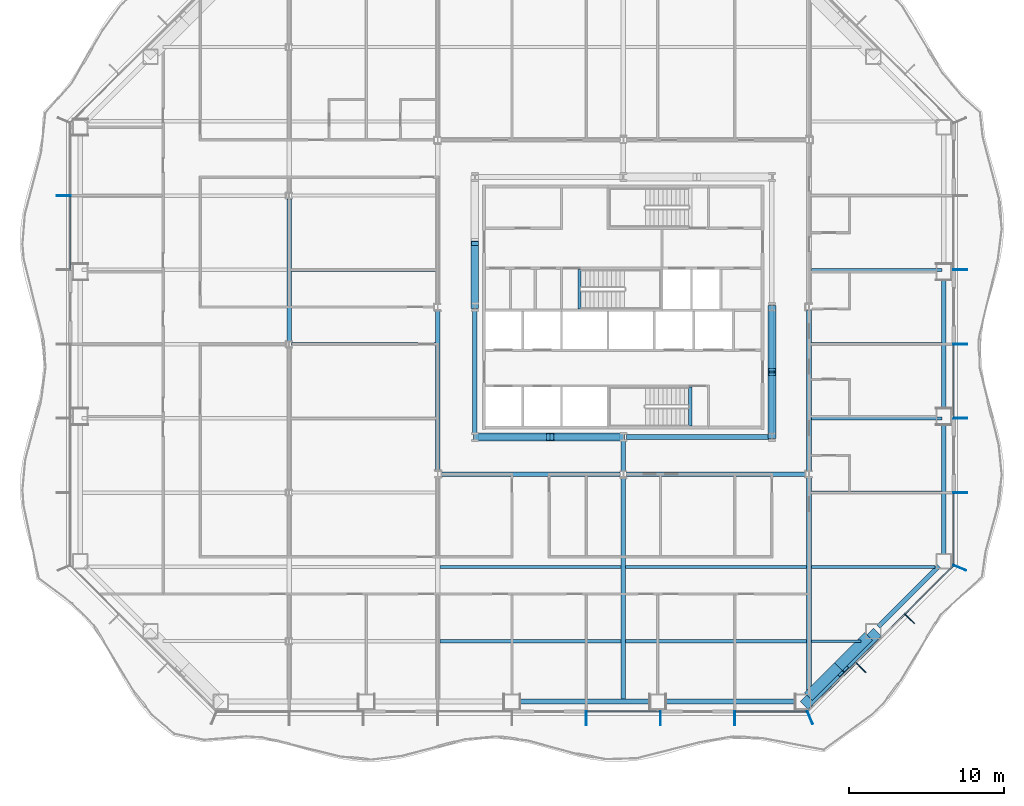
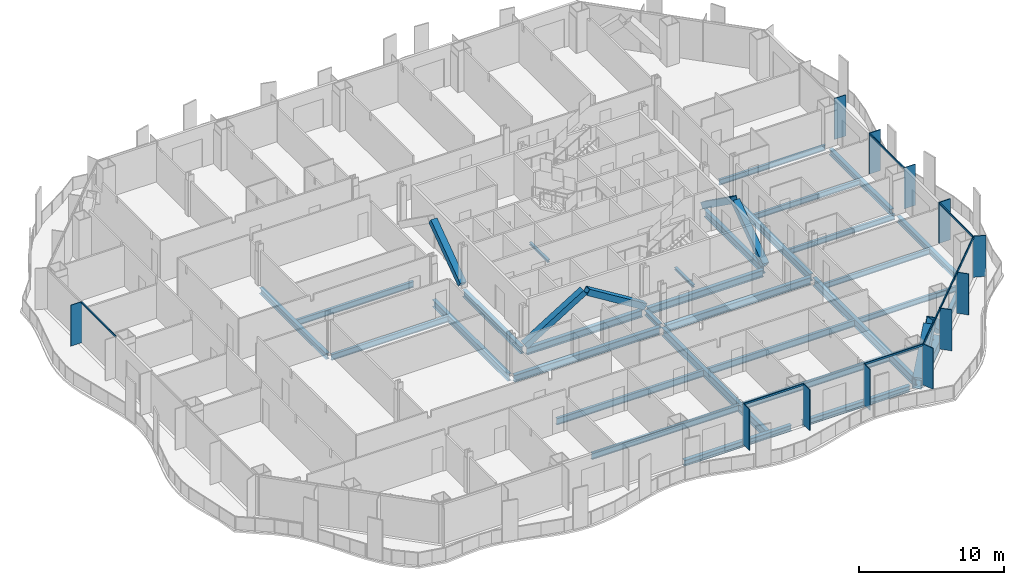
# One storey, part 2 of 20: 33 beams, 27 members, 4 elements without a shape of their own.
"""IFC4 building model written with IfcOpenShell, lengths in metres."""

from ifc_helpers import new_model, si_unit, direction, frame, origin, origin_2d, place, context, subcontext, project, spatial, rectangle, hollow_rectangle, i_section, extrude, material, material_profile, profile_set, type_object, element, aggregate, save


model = new_model("IFC4")

# Units and contexts
model_context = context("Model", 3, precision=1e-05, world=origin(), true_north=direction((0.0, 1.0)))
body_context = subcontext(model_context, "Body", "Model", "MODEL_VIEW")
ifc_project = project(units=[si_unit("LENGTHUNIT", "METRE"), si_unit("AREAUNIT", "SQUARE_METRE"), si_unit("VOLUMEUNIT", "CUBIC_METRE"), si_unit("PLANEANGLEUNIT", "RADIAN"), si_unit("MASSUNIT", "GRAM", prefix="KILO")], contexts=[model_context])

# Site, building, storey
site_placement = place(None, origin())
site = spatial("IfcSite", under=ifc_project, at=site_placement, CompositionType="ELEMENT")
building_placement = place(site_placement, origin())
building = spatial("IfcBuilding", under=site, at=building_placement, Name="Cairn Pilgrim Tower", CompositionType="ELEMENT")
storey_placement = place(building_placement, frame((0.0, 0.0, 61.800048828125)))
storey = spatial("IfcBuildingStorey", under=building, at=storey_placement, Name="L13", CompositionType="ELEMENT", Elevation=61.800048828125)

# Members
ifc_material_1 = material(Name="Structural steel S460M", Category="steel")
ifc_material_profile_1 = material_profile(ifc_material_1, hollow_rectangle(XDim=0.5, YDim=0.5, WallThickness=0.030029296875, at=origin_2d()), Name="BOX 500x500x30")
ifc_profile_set_1 = profile_set([ifc_material_profile_1], Name="Structural steel S460M")
member_type_1 = type_object("IfcMemberType", Name="BOX 500x500x30 BRACE", PredefinedType="BRACE", material=ifc_profile_set_1)
member_1_placement = place(storey_placement, frame((-2.3544921875, -6.0, 0.099853515625), z_axis=(0.850904896844, 0.0, 0.525319765978), x_axis=(0.0, 1.0, 0.0)))
element("IfcMember", 1, at=member_1_placement, inside=storey, type_object=member_type_1, Name="KB-1A", PredefinedType="BRACE", context=body_context, shape_type="SweptSolid", body=[
    extrude(hollow_rectangle(XDim=0.5, YDim=0.5, WallThickness=0.030029296875, at=origin_2d()), origin(), (0.0, 0.0, 1.0), 5.52490234375),
])
member_2_placement = place(storey_placement, frame((7.154541015625, -6.0, 0.099853515625), z_axis=(-0.850919818074, 0.0, 0.52529559603), x_axis=(0.0, -1.0, 0.0)))
element("IfcMember", 2, at=member_2_placement, inside=storey, type_object=member_type_1, Name="KB-1B", PredefinedType="BRACE", context=body_context, shape_type="SweptSolid", body=[
    extrude(hollow_rectangle(XDim=0.5, YDim=0.5, WallThickness=0.030029296875, at=origin_2d()), origin(), (0.0, 0.0, 1.0), 5.375),
])
for number, where, z_axis, x_axis, name in (
    (3, (16.800048828125, -5.95458984375, 0.099853515625), (0.0, 0.814060275911, 0.580780394972), (-1.0, 0.0, 0.0), "KB-2A"),
    (4, (16.800048828125, 2.3544921875, 0.099853515625), (0.0, -0.814043789138, 0.580803503232), (1.0, 0.0, 0.0), "KB-2B"),
    (5, (-2.39990234375, 2.4453125, 0.099853515625), (0.0, 0.814060275911, 0.580780394972), (-1.0, 0.0, 0.0), "KB-4B"),
):
    element("IfcMember", number, at=place(storey_placement, frame(where, z_axis=z_axis, x_axis=x_axis)), inside=storey, type_object=member_type_1, Name=name, PredefinedType="BRACE", context=body_context, shape_type="SweptSolid", body=[
        extrude(hollow_rectangle(XDim=0.5, YDim=0.5, WallThickness=0.030029296875, at=origin_2d()), origin(), (0.0, 0.0, 1.0), 4.9951171875),
    ])
ifc_material_profile_2 = material_profile(ifc_material_1, hollow_rectangle(XDim=0.699951171875, YDim=0.699951171875, WallThickness=0.0400390625, at=origin_2d()), Name="BOX 700x700x40")
ifc_profile_set_2 = profile_set([ifc_material_profile_2], Name="Structural steel S460M")
member_type_2 = type_object("IfcMemberType", Name="BOX 700x700x40 BRACE", PredefinedType="BRACE", material=ifc_profile_set_2)
member_3_placement = place(storey_placement, frame((19.0498046875, -23.181396484375, 0.14990234375), z_axis=(0.528096125699, 0.528096125699, 0.665002980477), x_axis=(-0.707106781187, 0.707106781187, 0.0)))
element("IfcMember", 6, at=member_3_placement, inside=storey, type_object=member_type_2, Name="XB-SE1-SE2-1", PredefinedType="BRACE", context=body_context, shape_type="SweptSolid", body=[
    extrude(hollow_rectangle(XDim=0.699951171875, YDim=0.699951171875, WallThickness=0.0400390625, at=origin_2d()), origin(), (0.0, 0.0, 1.0), 3.89990234375),
])
member_4_placement = place(storey_placement, frame((23.44482421875, -18.786376953125, 0.14990234375), z_axis=(-0.528068439288, -0.528068439288, 0.665046950866), x_axis=(0.707106781187, -0.707106781187, 0.0)))
element("IfcMember", 7, at=member_4_placement, inside=storey, type_object=member_type_2, Name="XB-SE1-SE2-2", PredefinedType="BRACE", context=body_context, shape_type="SweptSolid", body=[
    extrude(hollow_rectangle(XDim=0.699951171875, YDim=0.699951171875, WallThickness=0.0400390625, at=origin_2d()), origin(), (0.0, 0.0, 1.0), 3.899658203125),
])

# Beams
ifc_material_2 = material(Name="Structural steel S355J2", Category="steel")
ifc_material_profile_3 = material_profile(ifc_material_2, hollow_rectangle(XDim=0.699951171875, YDim=0.800048828125, WallThickness=0.0400390625, at=origin_2d()), Name="BOX 700x800x40")
ifc_profile_set_3 = profile_set([ifc_material_profile_3], Name="Structural steel S355J2")
beam_type_1 = type_object("IfcBeamType", Name="BOX 700x800x40 RING GIRDER", PredefinedType="SPANDREL", material=ifc_profile_set_3)
for number, where, z_axis, x_axis, name in (
    (8, (19.1455078125, -22.78173828125, -0.550048828125), (0.707106781187, 0.707106781187, 0.0), (-0.707106781187, 0.707106781187, 0.0), "RG1-SE1-SE2-1"),
    (9, (21.095458984375, -20.831787109375, -0.550048828125), (0.707106781187, 0.707106781187, 0.0), (-0.707106781187, 0.707106781187, 0.0), "RG1-SE1-SE2-2"),
):
    element("IfcBeam", number, at=place(storey_placement, frame(where, z_axis=z_axis, x_axis=x_axis)), inside=storey, type_object=beam_type_1, Name=name, PredefinedType="SPANDREL", context=body_context, shape_type="SweptSolid", body=[
        extrude(hollow_rectangle(XDim=0.699951171875, YDim=0.800048828125, WallThickness=0.0400390625, at=origin_2d()), origin(), (0.0, 0.0, 1.0), 2.757568359375),
    ])

# Curtain wall, members
ifc_material_3 = material(Name="Aluminium alloy 6063-T6 bronze anodised with Bronze tinted laminated low-E glass 8+16+8.8", Category="aluminium")
curtain_wall_type_1 = type_object("IfcCurtainWallType", Name="TOWER STICK CURTAIN WALL NS", PredefinedType="NOTDEFINED", material=ifc_material_3)
curtain_wall_1_placement = place(storey_placement, origin())
curtain_wall_1 = element("IfcCurtainWall", 10, at=curtain_wall_1_placement, inside=storey, type_object=curtain_wall_type_1, Name="Tower Stick Curtain Wall Ns S", PredefinedType="NOTDEFINED")
ifc_material_4 = material(Name="Aluminium alloy 6063-T6 bronze anodised", Category="aluminium")
ifc_material_profile_4 = material_profile(ifc_material_4, rectangle(XDim=0.89990234375, YDim=0.06005859375, at=origin_2d()), Name="FIN MULLION 60x900 BRONZE")
ifc_profile_set_4 = profile_set([ifc_material_profile_4], Name="Aluminium alloy 6063-T6 bronze anodised")
member_type_3 = type_object("IfcMemberType", Name="FIN MULLION 60x900 BRONZE", PredefinedType="MULLION", material=ifc_profile_set_4)
member_5_placement = place(storey_placement, frame((4.800048828125, -24.169921875, 0.0), z_axis=(0.0, 0.0, 1.0), x_axis=(0.0, -1.0, 0.0)))
member_5 = element("IfcMember", 11, at=member_5_placement, type_object=member_type_3, Name="Fin mullion S6", PredefinedType="MULLION", context=body_context, shape_type="SweptSolid", body=[
    extrude(rectangle(XDim=0.89990234375, YDim=0.06005859375, at=origin_2d()), origin(), (0.0, 0.0, 1.0), 3.449951171875),
])
member_6_placement = place(storey_placement, frame((9.60009765625, -24.169921875, 0.0), z_axis=(0.0, 0.0, 1.0), x_axis=(0.0, -1.0, 0.0)))
member_6 = element("IfcMember", 12, at=member_6_placement, type_object=member_type_3, Name="Fin mullion S7", PredefinedType="MULLION", context=body_context, shape_type="SweptSolid", body=[
    extrude(rectangle(XDim=0.89990234375, YDim=0.06005859375, at=origin_2d()), origin(), (0.0, 0.0, 1.0), 3.449951171875),
])
member_7_placement = place(storey_placement, frame((14.39990234375, -24.169921875, 0.0), z_axis=(0.0, 0.0, 1.0), x_axis=(0.0, -1.0, 0.0)))
member_7 = element("IfcMember", 13, at=member_7_placement, type_object=member_type_3, Name="Fin mullion S8", PredefinedType="MULLION", context=body_context, shape_type="SweptSolid", body=[
    extrude(rectangle(XDim=0.89990234375, YDim=0.06005859375, at=origin_2d()), origin(), (0.0, 0.0, 1.0), 3.449951171875),
])

curtain_wall_type_2 = type_object("IfcCurtainWallType", Name="CHAMFER CORNER CURTAIN WALL", PredefinedType="NOTDEFINED", material=ifc_material_3)
curtain_wall_2_placement = place(storey_placement, origin())
curtain_wall_2 = element("IfcCurtainWall", 14, at=curtain_wall_2_placement, inside=storey, type_object=curtain_wall_type_2, Name="Chamfer Corner Curtain Wall SE", PredefinedType="NOTDEFINED")
member_8_placement = place(storey_placement, frame((19.257080078125, -24.137939453125, 0.0), z_axis=(0.0, 0.0, 1.0), x_axis=(0.382683432365, -0.923879532511, 0.0)))
member_8 = element("IfcMember", 15, at=member_8_placement, type_object=member_type_3, Name="Fin mullion SE1", PredefinedType="MULLION", context=body_context, shape_type="SweptSolid", body=[
    extrude(rectangle(XDim=0.89990234375, YDim=0.06005859375, at=origin_2d()), origin(), (0.0, 0.0, 1.0), 3.449951171875),
])
member_9_placement = place(storey_placement, frame((22.544677734375, -20.895751953125, 0.0), z_axis=(0.0, 0.0, 1.0), x_axis=(0.707106781187, -0.707106781187, 0.0)))
member_9 = element("IfcMember", 16, at=member_9_placement, type_object=member_type_3, Name="Fin mullion SE2", PredefinedType="MULLION", context=body_context, shape_type="SweptSolid", body=[
    extrude(rectangle(XDim=0.89990234375, YDim=0.06005859375, at=origin_2d()), origin(), (0.0, 0.0, 1.0), 3.449951171875),
])
member_10_placement = place(storey_placement, frame((25.69580078125, -17.74462890625, 0.0), z_axis=(0.0, 0.0, 1.0), x_axis=(0.707106781187, -0.707106781187, 0.0)))
member_10 = element("IfcMember", 17, at=member_10_placement, type_object=member_type_3, Name="Fin mullion SE3", PredefinedType="MULLION", context=body_context, shape_type="SweptSolid", body=[
    extrude(rectangle(XDim=0.89990234375, YDim=0.06005859375, at=origin_2d()), origin(), (0.0, 0.0, 1.0), 3.449951171875),
])

curtain_wall_type_3 = type_object("IfcCurtainWallType", Name="TOWER STICK CURTAIN WALL EW", PredefinedType="NOTDEFINED", material=ifc_material_3)
curtain_wall_3_placement = place(storey_placement, origin())
curtain_wall_3 = element("IfcCurtainWall", 18, at=curtain_wall_3_placement, inside=storey, type_object=curtain_wall_type_3, Name="Tower Stick Curtain Wall Ew E", PredefinedType="NOTDEFINED")
member_11_placement = place(storey_placement, frame((28.93798828125, -14.457275390625, 0.0), z_axis=(0.0, 0.0, 1.0), x_axis=(0.923879532511, -0.382683432365, 0.0)))
member_11 = element("IfcMember", 19, at=member_11_placement, type_object=member_type_3, Name="Fin mullion E1", PredefinedType="MULLION", context=body_context, shape_type="SweptSolid", body=[
    extrude(rectangle(XDim=0.89990234375, YDim=0.06005859375, at=origin_2d()), origin(), (0.0, 0.0, 1.0), 3.449951171875),
])
member_12_placement = place(storey_placement, frame((28.969970703125, -9.60009765625, 0.0), z_axis=(0.0, 0.0, 1.0), x_axis=(1.0, 0.0, 0.0)))
member_12 = element("IfcMember", 20, at=member_12_placement, type_object=member_type_3, Name="Fin mullion E2", PredefinedType="MULLION", context=body_context, shape_type="SweptSolid", body=[
    extrude(rectangle(XDim=0.89990234375, YDim=0.06005859375, at=origin_2d()), origin(), (0.0, 0.0, 1.0), 3.449951171875),
])
member_13_placement = place(storey_placement, frame((28.969970703125, -4.800048828125, 0.0), z_axis=(0.0, 0.0, 1.0), x_axis=(1.0, 0.0, 0.0)))
member_13 = element("IfcMember", 21, at=member_13_placement, type_object=member_type_3, Name="Fin mullion E3", PredefinedType="MULLION", context=body_context, shape_type="SweptSolid", body=[
    extrude(rectangle(XDim=0.89990234375, YDim=0.06005859375, at=origin_2d()), origin(), (0.0, 0.0, 1.0), 3.449951171875),
])
member_14_placement = place(storey_placement, frame((28.969970703125, 0.0, 0.0), z_axis=(0.0, 0.0, 1.0), x_axis=(1.0, 0.0, 0.0)))
member_14 = element("IfcMember", 22, at=member_14_placement, type_object=member_type_3, Name="Fin mullion E4", PredefinedType="MULLION", context=body_context, shape_type="SweptSolid", body=[
    extrude(rectangle(XDim=0.89990234375, YDim=0.06005859375, at=origin_2d()), origin(), (0.0, 0.0, 1.0), 3.449951171875),
])
member_15_placement = place(storey_placement, frame((28.969970703125, 4.800048828125, 0.0), z_axis=(0.0, 0.0, 1.0), x_axis=(1.0, 0.0, 0.0)))
member_15 = element("IfcMember", 23, at=member_15_placement, type_object=member_type_3, Name="Fin mullion E5", PredefinedType="MULLION", context=body_context, shape_type="SweptSolid", body=[
    extrude(rectangle(XDim=0.89990234375, YDim=0.06005859375, at=origin_2d()), origin(), (0.0, 0.0, 1.0), 3.449951171875),
])

# Curtain wall, member
curtain_wall_4_placement = place(storey_placement, origin())
curtain_wall_4 = element("IfcCurtainWall", 24, at=curtain_wall_4_placement, inside=storey, type_object=curtain_wall_type_3, Name="Tower Stick Curtain Wall Ew W", PredefinedType="NOTDEFINED")
member_16_placement = place(storey_placement, frame((-28.969970703125, 9.60009765625, 0.0), z_axis=(0.0, 0.0, 1.0), x_axis=(-1.0, 0.0, 0.0)))
member_16 = element("IfcMember", 25, at=member_16_placement, type_object=member_type_3, Name="Fin mullion W2", PredefinedType="MULLION", context=body_context, shape_type="SweptSolid", body=[
    extrude(rectangle(XDim=0.89990234375, YDim=0.06005859375, at=origin_2d()), origin(), (0.0, 0.0, 1.0), 3.449951171875),
])

# Beams
ifc_material_profile_5 = material_profile(ifc_material_2, i_section(OverallWidth=0.300048828125, OverallDepth=0.39990234375, WebThickness=0.013427734375, FlangeThickness=0.02392578125, FilletRadius=0.027099609375, at=origin_2d()), Name="HEB 400")
ifc_profile_set_5 = profile_set([ifc_material_profile_5], Name="Structural steel S355J2")
beam_type_2 = type_object("IfcBeamType", Name="HEB 400 GIRDER", PredefinedType="BEAM", material=ifc_profile_set_5)
beam_1_placement = place(storey_placement, frame((7.199951171875, -8.18798828125, -0.35009765625), z_axis=(0.0, 1.0, 0.0), x_axis=(-1.0, 0.0, 0.0)))
element("IfcBeam", 26, at=beam_1_placement, inside=storey, type_object=beam_type_2, Name="PG3-E1", PredefinedType="BEAM", context=body_context, shape_type="SweptSolid", body=[
    extrude(i_section(OverallWidth=0.300048828125, OverallDepth=0.39990234375, WebThickness=0.013427734375, FlangeThickness=0.02392578125, FilletRadius=0.027099609375, at=origin_2d()), origin(), (0.0, 0.0, 1.0), 1.9609375),
])
ifc_material_profile_6 = material_profile(ifc_material_2, i_section(OverallWidth=0.300048828125, OverallDepth=0.5, WebThickness=0.014404296875, FlangeThickness=0.028076171875, FilletRadius=0.027099609375, at=origin_2d()), Name="HEB 500")
ifc_profile_set_6 = profile_set([ifc_material_profile_6], Name="Structural steel S355J2")
beam_type_3 = type_object("IfcBeamType", Name="HEB 500 GIRDER", PredefinedType="BEAM", material=ifc_profile_set_6)
beam_2_placement = place(storey_placement, frame((-14.39990234375, 0.20458984375, -0.400146484375), z_axis=(0.0, 1.0, 0.0), x_axis=(-1.0, 0.0, 0.0)))
element("IfcBeam", 27, at=beam_2_placement, inside=storey, type_object=beam_type_3, Name="PG1-4", PredefinedType="BEAM", context=body_context, shape_type="SweptSolid", body=[
    extrude(i_section(OverallWidth=0.300048828125, OverallDepth=0.5, WebThickness=0.014404296875, FlangeThickness=0.028076171875, FilletRadius=0.027099609375, at=origin_2d()), origin(), (0.0, 0.0, 1.0), 9.19091796875),
])
ifc_material_profile_7 = material_profile(ifc_material_2, i_section(OverallWidth=0.300048828125, OverallDepth=0.5, WebThickness=0.014404296875, FlangeThickness=0.028076171875, FilletRadius=0.027099609375, at=origin_2d()), Name="HEB 500")
ifc_profile_set_7 = profile_set([ifc_material_profile_7], Name="Structural steel S355J2")
beam_type_4 = type_object("IfcBeamType", Name="HEB 500 RING GIRDER", PredefinedType="SPANDREL", material=ifc_profile_set_7)
for number, where, z_axis, x_axis, name in (
    (28, (0.449951171875, -23.10009765625, -0.400146484375), (1.0, 0.0, 0.0), (0.0, 1.0, 0.0), "RG1-S3-S4"),
    (29, (9.863525390625, -23.10009765625, -0.400146484375), (1.0, 0.0, 0.0), (0.0, 1.0, 0.0), "RG1-S4-SE1"),
):
    element("IfcBeam", number, at=place(storey_placement, frame(where, z_axis=z_axis, x_axis=x_axis)), inside=storey, type_object=beam_type_4, Name=name, PredefinedType="SPANDREL", context=body_context, shape_type="SweptSolid", body=[
        extrude(i_section(OverallWidth=0.300048828125, OverallDepth=0.5, WebThickness=0.014404296875, FlangeThickness=0.028076171875, FilletRadius=0.027099609375, at=origin_2d()), origin(), (0.0, 0.0, 1.0), 8.513671875),
    ])
beam_3_placement = place(storey_placement, frame((23.681884765625, -18.245361328125, -0.400146484375), z_axis=(0.707106781187, 0.707106781187, 0.0), x_axis=(-0.707106781187, 0.707106781187, 0.0)))
element("IfcBeam", 30, at=beam_3_placement, inside=storey, type_object=beam_type_4, Name="RG1-SE2-E1", PredefinedType="SPANDREL", context=body_context, shape_type="SweptSolid", body=[
    extrude(i_section(OverallWidth=0.300048828125, OverallDepth=0.5, WebThickness=0.014404296875, FlangeThickness=0.028076171875, FilletRadius=0.027099609375, at=origin_2d()), origin(), (0.0, 0.0, 1.0), 5.515380859375),
])
beam_4_placement = place(storey_placement, frame((27.89990234375, -13.5771484375, -0.400146484375), z_axis=(0.0, 1.0, 0.0), x_axis=(-1.0, 0.0, 0.0)))
element("IfcBeam", 31, at=beam_4_placement, inside=storey, type_object=beam_type_4, Name="RG1-E1-E2", PredefinedType="SPANDREL", context=body_context, shape_type="SweptSolid", body=[
    extrude(i_section(OverallWidth=0.300048828125, OverallDepth=0.5, WebThickness=0.014404296875, FlangeThickness=0.028076171875, FilletRadius=0.027099609375, at=origin_2d()), origin(), (0.0, 0.0, 1.0), 8.451416015625),
])
beam_5_placement = place(storey_placement, frame((27.89990234375, -4.2255859375, -0.400146484375), z_axis=(0.0, 1.0, 0.0), x_axis=(-1.0, 0.0, 0.0)))
element("IfcBeam", 32, at=beam_5_placement, inside=storey, type_object=beam_type_4, Name="RG1-E2-E3", PredefinedType="SPANDREL", context=body_context, shape_type="SweptSolid", body=[
    extrude(i_section(OverallWidth=0.300048828125, OverallDepth=0.5, WebThickness=0.014404296875, FlangeThickness=0.028076171875, FilletRadius=0.027099609375, at=origin_2d()), origin(), (0.0, 0.0, 1.0), 8.451171875),
])
ifc_material_profile_8 = material_profile(ifc_material_2, i_section(OverallWidth=0.300048828125, OverallDepth=0.60009765625, WebThickness=0.015380859375, FlangeThickness=0.030029296875, FilletRadius=0.027099609375, at=origin_2d()), Name="HEB 600")
ifc_profile_set_8 = profile_set([ifc_material_profile_8], Name="Structural steel S355J2")
beam_type_5 = type_object("IfcBeamType", Name="HEB 600 CORE BEAM", PredefinedType="BEAM", material=ifc_profile_set_8)
for number, where, z_axis, x_axis, name in (
    (33, (-2.19580078125, -6.0, -0.449951171875), (1.0, 0.0, 0.0), (0.0, 1.0, 0.0), "CB-1"),
    (34, (7.404296875, -6.0, -0.449951171875), (1.0, 0.0, 0.0), (0.0, 1.0, 0.0), "CB-2"),
):
    element("IfcBeam", number, at=place(storey_placement, frame(where, z_axis=z_axis, x_axis=x_axis)), inside=storey, type_object=beam_type_5, Name=name, PredefinedType="BEAM", context=body_context, shape_type="SweptSolid", body=[
        extrude(i_section(OverallWidth=0.300048828125, OverallDepth=0.60009765625, WebThickness=0.015380859375, FlangeThickness=0.030029296875, FilletRadius=0.027099609375, at=origin_2d()), origin(), (0.0, 0.0, 1.0), 9.19140625),
    ])
for number, where, z_axis, x_axis, name in (
    (35, (16.800048828125, -5.795654296875, -0.449951171875), (0.0, 1.0, 0.0), (-1.0, 0.0, 0.0), "CB-3"),
    (36, (-2.39990234375, 2.19580078125, -0.449951171875), (0.0, -1.0, 0.0), (1.0, 0.0, 0.0), "CB-8"),
):
    element("IfcBeam", number, at=place(storey_placement, frame(where, z_axis=z_axis, x_axis=x_axis)), inside=storey, type_object=beam_type_5, Name=name, PredefinedType="BEAM", context=body_context, shape_type="SweptSolid", body=[
        extrude(i_section(OverallWidth=0.300048828125, OverallDepth=0.60009765625, WebThickness=0.015380859375, FlangeThickness=0.030029296875, FilletRadius=0.027099609375, at=origin_2d()), origin(), (0.0, 0.0, 1.0), 7.991455078125),
    ])
ifc_material_profile_9 = material_profile(ifc_material_2, i_section(OverallWidth=0.300048828125, OverallDepth=0.60009765625, WebThickness=0.015380859375, FlangeThickness=0.030029296875, FilletRadius=0.027099609375, at=origin_2d()), Name="HEB 600")
ifc_profile_set_9 = profile_set([ifc_material_profile_9], Name="Structural steel S355J2")
beam_type_6 = type_object("IfcBeamType", Name="HEB 600 GIRDER", PredefinedType="BEAM", material=ifc_profile_set_9)
for number, where, z_axis, x_axis, name in (
    (37, (-4.800048828125, -8.18798828125, -0.449951171875), (0.0, 1.0, 0.0), (-1.0, 0.0, 0.0), "PG2-2"),
    (38, (19.199951171875, -8.18798828125, -0.449951171875), (0.0, 1.0, 0.0), (-1.0, 0.0, 0.0), "PG4-2"),
):
    element("IfcBeam", number, at=place(storey_placement, frame(where, z_axis=z_axis, x_axis=x_axis)), inside=storey, type_object=beam_type_6, Name=name, PredefinedType="BEAM", context=body_context, shape_type="SweptSolid", body=[
        extrude(i_section(OverallWidth=0.300048828125, OverallDepth=0.60009765625, WebThickness=0.015380859375, FlangeThickness=0.030029296875, FilletRadius=0.027099609375, at=origin_2d()), origin(), (0.0, 0.0, 1.0), 10.3759765625),
    ])
ifc_material_profile_10 = material_profile(ifc_material_2, i_section(OverallWidth=0.300048828125, OverallDepth=0.60009765625, WebThickness=0.015380859375, FlangeThickness=0.030029296875, FilletRadius=0.027099609375, at=origin_2d()), Name="HEB 600")
ifc_profile_set_10 = profile_set([ifc_material_profile_10], Name="Structural steel S355J2")
beam_type_7 = type_object("IfcBeamType", Name="HEB 600 INNER GIRDER", PredefinedType="BEAM", material=ifc_profile_set_10)
for number, where, z_axis, x_axis, name in (
    (39, (-4.587890625, -8.39990234375, -0.449951171875), (1.0, 0.0, 0.0), (0.0, 1.0, 0.0), "IG1-1"),
    (40, (7.412109375, -8.39990234375, -0.449951171875), (1.0, 0.0, 0.0), (0.0, 1.0, 0.0), "IG1-2"),
):
    element("IfcBeam", number, at=place(storey_placement, frame(where, z_axis=z_axis, x_axis=x_axis)), inside=storey, type_object=beam_type_7, Name=name, PredefinedType="BEAM", context=body_context, shape_type="SweptSolid", body=[
        extrude(i_section(OverallWidth=0.300048828125, OverallDepth=0.60009765625, WebThickness=0.015380859375, FlangeThickness=0.030029296875, FilletRadius=0.027099609375, at=origin_2d()), origin(), (0.0, 0.0, 1.0), 11.575927734375),
    ])
ifc_material_profile_11 = material_profile(ifc_material_2, i_section(OverallWidth=0.300048828125, OverallDepth=0.699951171875, WebThickness=0.01708984375, FlangeThickness=0.031982421875, FilletRadius=0.027099609375, at=origin_2d()), Name="HEB 700")
ifc_profile_set_11 = profile_set([ifc_material_profile_11], Name="Structural steel S355J2")
beam_type_8 = type_object("IfcBeamType", Name="HEB 700 GIRDER", PredefinedType="BEAM", material=ifc_profile_set_11)
beam_6_placement = place(storey_placement, frame((7.199951171875, -22.97998046875, -0.5), z_axis=(0.0, 1.0, 0.0), x_axis=(-1.0, 0.0, 0.0)))
element("IfcBeam", 41, at=beam_6_placement, inside=storey, type_object=beam_type_8, Name="PG3-1", PredefinedType="BEAM", context=body_context, shape_type="SweptSolid", body=[
    extrude(i_section(OverallWidth=0.300048828125, OverallDepth=0.699951171875, WebThickness=0.01708984375, FlangeThickness=0.031982421875, FilletRadius=0.027099609375, at=origin_2d()), origin(), (0.0, 0.0, 1.0), 14.367919921875),
])
beam_7_placement = place(storey_placement, frame((19.199951171875, -22.545166015625, -0.5), z_axis=(0.0, 1.0, 0.0), x_axis=(-1.0, 0.0, 0.0)))
element("IfcBeam", 42, at=beam_7_placement, inside=storey, type_object=beam_type_8, Name="PG4-1", PredefinedType="BEAM", context=body_context, shape_type="SweptSolid", body=[
    extrude(i_section(OverallWidth=0.300048828125, OverallDepth=0.699951171875, WebThickness=0.01708984375, FlangeThickness=0.031982421875, FilletRadius=0.027099609375, at=origin_2d()), origin(), (0.0, 0.0, 1.0), 13.93310546875),
])
ifc_material_profile_12 = material_profile(ifc_material_2, i_section(OverallWidth=0.169921875, OverallDepth=0.360107421875, WebThickness=0.008056640625, FlangeThickness=0.0126953125, FilletRadius=0.01806640625, at=origin_2d()), Name="IPE 360")
ifc_profile_set_12 = profile_set([ifc_material_profile_12], Name="Structural steel S355J2")
beam_type_9 = type_object("IfcBeamType", Name="IPE 360 SECONDARY BEAM", PredefinedType="JOIST", material=ifc_profile_set_12)
beam_8_placement = place(storey_placement, frame((19.35009765625, -19.199951171875, -0.330078125), z_axis=(1.0, 0.0, 0.0), x_axis=(0.0, 1.0, 0.0)))
element("IfcBeam", 43, at=beam_8_placement, inside=storey, type_object=beam_type_9, Name="SB1-5", PredefinedType="JOIST", context=body_context, shape_type="SweptSolid", body=[
    extrude(i_section(OverallWidth=0.169921875, OverallDepth=0.360107421875, WebThickness=0.008056640625, FlangeThickness=0.0126953125, FilletRadius=0.01806640625, at=origin_2d()), origin(), (0.0, 0.0, 1.0), 3.195068359375),
])
ifc_material_profile_13 = material_profile(ifc_material_2, i_section(OverallWidth=0.18994140625, OverallDepth=0.449951171875, WebThickness=0.009521484375, FlangeThickness=0.0146484375, FilletRadius=0.02099609375, at=origin_2d()), Name="IPE 450")
ifc_profile_set_13 = profile_set([ifc_material_profile_13], Name="Structural steel S355J2")
beam_type_10 = type_object("IfcBeamType", Name="IPE 450 SECONDARY BEAM", PredefinedType="JOIST", material=ifc_profile_set_13)
beam_9_placement = place(storey_placement, frame((19.35009765625, -14.39990234375, -0.375), z_axis=(1.0, 0.0, 0.0), x_axis=(0.0, 1.0, 0.0)))
element("IfcBeam", 44, at=beam_9_placement, inside=storey, type_object=beam_type_10, Name="SB2-5", PredefinedType="JOIST", context=body_context, shape_type="SweptSolid", body=[
    extrude(i_section(OverallWidth=0.18994140625, OverallDepth=0.449951171875, WebThickness=0.009521484375, FlangeThickness=0.0146484375, FilletRadius=0.02099609375, at=origin_2d()), origin(), (0.0, 0.0, 1.0), 7.9951171875),
])
for number, where, z_axis, x_axis, name in (
    (45, (19.35009765625, -9.60009765625, -0.375), (1.0, 0.0, 0.0), (0.0, 1.0, 0.0), "SB3-3"),
    (46, (19.35009765625, -4.800048828125, -0.375), (1.0, 0.0, 0.0), (0.0, 1.0, 0.0), "SB4-3"),
    (47, (19.35009765625, 0.0, -0.375), (1.0, 0.0, 0.0), (0.0, 1.0, 0.0), "SB5-3"),
    (48, (19.35009765625, 4.800048828125, -0.375), (1.0, 0.0, 0.0), (0.0, 1.0, 0.0), "SB6-3"),
):
    element("IfcBeam", number, at=place(storey_placement, frame(where, z_axis=z_axis, x_axis=x_axis)), inside=storey, type_object=beam_type_10, Name=name, PredefinedType="JOIST", context=body_context, shape_type="SweptSolid", body=[
        extrude(i_section(OverallWidth=0.18994140625, OverallDepth=0.449951171875, WebThickness=0.009521484375, FlangeThickness=0.0146484375, FilletRadius=0.02099609375, at=origin_2d()), origin(), (0.0, 0.0, 1.0), 8.429931640625),
    ])
ifc_material_profile_14 = material_profile(ifc_material_2, i_section(OverallWidth=0.199951171875, OverallDepth=0.5, WebThickness=0.01025390625, FlangeThickness=0.01611328125, FilletRadius=0.02099609375, at=origin_2d()), Name="IPE 500")
ifc_profile_set_14 = profile_set([ifc_material_profile_14], Name="Structural steel S355J2")
beam_type_11 = type_object("IfcBeamType", Name="IPE 500 SECONDARY BEAM", PredefinedType="JOIST", material=ifc_profile_set_14)
for number, where, z_axis, x_axis, name in (
    (49, (-14.25, 0.0, -0.400146484375), (1.0, 0.0, 0.0), (0.0, 1.0, 0.0), "SB5-2"),
    (50, (-14.25, 4.800048828125, -0.400146484375), (1.0, 0.0, 0.0), (0.0, 1.0, 0.0), "SB6-2"),
):
    element("IfcBeam", number, at=place(storey_placement, frame(where, z_axis=z_axis, x_axis=x_axis)), inside=storey, type_object=beam_type_11, Name=name, PredefinedType="JOIST", context=body_context, shape_type="SweptSolid", body=[
        extrude(i_section(OverallWidth=0.199951171875, OverallDepth=0.5, WebThickness=0.01025390625, FlangeThickness=0.01611328125, FilletRadius=0.02099609375, at=origin_2d()), origin(), (0.0, 0.0, 1.0), 9.300048828125),
    ])
ifc_material_profile_15 = material_profile(ifc_material_2, i_section(OverallWidth=0.2099609375, OverallDepth=0.550048828125, WebThickness=0.010986328125, FlangeThickness=0.01708984375, FilletRadius=0.02392578125, at=origin_2d()), Name="IPE 550")
ifc_profile_set_15 = profile_set([ifc_material_profile_15], Name="Structural steel S355J2")
beam_type_12 = type_object("IfcBeamType", Name="IPE 550 SECONDARY BEAM", PredefinedType="JOIST", material=ifc_profile_set_15)
for number, where, z_axis, x_axis, name in (
    (51, (-4.64990234375, -19.199951171875, -0.425048828125), (1.0, 0.0, 0.0), (0.0, 1.0, 0.0), "SB1-3"),
    (52, (7.35009765625, -19.199951171875, -0.425048828125), (1.0, 0.0, 0.0), (0.0, 1.0, 0.0), "SB1-4"),
    (53, (-4.64990234375, -14.39990234375, -0.425048828125), (1.0, 0.0, 0.0), (0.0, 1.0, 0.0), "SB2-3"),
    (54, (7.35009765625, -14.39990234375, -0.425048828125), (1.0, 0.0, 0.0), (0.0, 1.0, 0.0), "SB2-4"),
):
    element("IfcBeam", number, at=place(storey_placement, frame(where, z_axis=z_axis, x_axis=x_axis)), inside=storey, type_object=beam_type_12, Name=name, PredefinedType="JOIST", context=body_context, shape_type="SweptSolid", body=[
        extrude(i_section(OverallWidth=0.2099609375, OverallDepth=0.550048828125, WebThickness=0.010986328125, FlangeThickness=0.01708984375, FilletRadius=0.02392578125, at=origin_2d()), origin(), (0.0, 0.0, 1.0), 11.699951171875),
    ])
ifc_material_profile_16 = material_profile(ifc_material_2, i_section(OverallWidth=0.199951171875, OverallDepth=0.199951171875, WebThickness=0.009033203125, FlangeThickness=0.014892578125, FilletRadius=0.01806640625, at=origin_2d()), Name="HE 200 B")
ifc_profile_set_16 = profile_set([ifc_material_profile_16], Name="Structural steel S355J2")
beam_type_13 = type_object("IfcBeamType", Name="STAIR LANDING BEAM HE 200 B", PredefinedType="BEAM", material=ifc_profile_set_16)
beam_10_placement = place(storey_placement, frame((11.5244140625, -2.77490234375, -0.25), z_axis=(0.0, -1.0, 0.0), x_axis=(1.0, 0.0, 0.0)))
element("IfcBeam", 55, at=beam_10_placement, inside=storey, type_object=beam_type_13, Name="STAIR LANDING BEAM LD-HE200B", PredefinedType="BEAM", context=body_context, shape_type="SweptSolid", body=[
    extrude(i_section(OverallWidth=0.199951171875, OverallDepth=0.199951171875, WebThickness=0.009033203125, FlangeThickness=0.014892578125, FilletRadius=0.01806640625, at=origin_2d()), origin(), (0.0, 0.0, 1.0), 2.525146484375),
])
beam_11_placement = place(storey_placement, frame((4.37548828125, 2.27490234375, -0.25), z_axis=(0.0, 1.0, 0.0), x_axis=(-1.0, 0.0, 0.0)))
element("IfcBeam", 56, at=beam_11_placement, inside=storey, type_object=beam_type_13, Name="STAIR LANDING BEAM LD-HE200B", PredefinedType="BEAM", context=body_context, shape_type="SweptSolid", body=[
    extrude(i_section(OverallWidth=0.199951171875, OverallDepth=0.199951171875, WebThickness=0.009033203125, FlangeThickness=0.014892578125, FilletRadius=0.01806640625, at=origin_2d()), origin(), (0.0, 0.0, 1.0), 2.550048828125),
])

# Member
ifc_material_profile_17 = material_profile(ifc_material_4, rectangle(XDim=0.080078125, YDim=0.14990234375, at=origin_2d()), Name="TRANSOM 80x150 BRONZE")
ifc_profile_set_17 = profile_set([ifc_material_profile_17], Name="Aluminium alloy 6063-T6 bronze anodised")
member_type_4 = type_object("IfcMemberType", Name="TRANSOM 80x150 BRONZE", PredefinedType="USERDEFINED", material=ifc_profile_set_17)
member_17_placement = place(storey_placement, frame((4.830078125, -23.75, 3.375), z_axis=(1.0, 0.0, 0.0), x_axis=(0.0, 1.0, 0.0)))
member_17 = element("IfcMember", 57, at=member_17_placement, type_object=member_type_4, Name="Transom S6", ObjectType="TRANSOM", PredefinedType="USERDEFINED", context=body_context, shape_type="SweptSolid", body=[
    extrude(rectangle(XDim=0.080078125, YDim=0.14990234375, at=origin_2d()), origin(), (0.0, 0.0, 1.0), 4.739990234375),
])

member_18_placement = place(storey_placement, frame((14.429931640625, -23.75, 3.375), z_axis=(1.0, 0.0, 0.0), x_axis=(0.0, 1.0, 0.0)))
member_18 = element("IfcMember", 58, at=member_18_placement, type_object=member_type_4, Name="Transom S8", ObjectType="TRANSOM", PredefinedType="USERDEFINED", context=body_context, shape_type="SweptSolid", body=[
    extrude(rectangle(XDim=0.080078125, YDim=0.14990234375, at=origin_2d()), origin(), (0.0, 0.0, 1.0), 4.62646484375),
])

aggregate(curtain_wall_1, [member_5, member_6, member_7, member_17, member_18])

member_19_placement = place(storey_placement, frame((19.124755859375, -23.7216796875, 3.375), z_axis=(0.707106781187, 0.707106781187, 0.0), x_axis=(-0.707106781187, 0.707106781187, 0.0)))
member_19 = element("IfcMember", 59, at=member_19_placement, type_object=member_type_4, Name="Transom SE1", ObjectType="TRANSOM", PredefinedType="USERDEFINED", context=body_context, shape_type="SweptSolid", body=[
    extrude(rectangle(XDim=0.080078125, YDim=0.14990234375, at=origin_2d()), origin(), (0.0, 0.0, 1.0), 4.38623046875),
])

member_20_placement = place(storey_placement, frame((22.268798828125, -20.57763671875, 3.375), z_axis=(0.707106781187, 0.707106781187, 0.0), x_axis=(-0.707106781187, 0.707106781187, 0.0)))
member_20 = element("IfcMember", 60, at=member_20_placement, type_object=member_type_4, Name="Transom SE2", ObjectType="TRANSOM", PredefinedType="USERDEFINED", context=body_context, shape_type="SweptSolid", body=[
    extrude(rectangle(XDim=0.080078125, YDim=0.14990234375, at=origin_2d()), origin(), (0.0, 0.0, 1.0), 4.396728515625),
])

member_21_placement = place(storey_placement, frame((25.419921875, -17.426513671875, 3.375), z_axis=(0.707106781187, 0.707106781187, 0.0), x_axis=(-0.707106781187, 0.707106781187, 0.0)))
member_21 = element("IfcMember", 61, at=member_21_placement, type_object=member_type_4, Name="Transom SE3", ObjectType="TRANSOM", PredefinedType="USERDEFINED", context=body_context, shape_type="SweptSolid", body=[
    extrude(rectangle(XDim=0.080078125, YDim=0.14990234375, at=origin_2d()), origin(), (0.0, 0.0, 1.0), 4.38671875),
])

aggregate(curtain_wall_2, [member_8, member_9, member_10, member_19, member_20, member_21])

member_22_placement = place(storey_placement, frame((28.550048828125, -14.25634765625, 3.375), z_axis=(0.0, 1.0, 0.0), x_axis=(-1.0, 0.0, 0.0)))
member_22 = element("IfcMember", 62, at=member_22_placement, type_object=member_type_4, Name="Transom E1", ObjectType="TRANSOM", PredefinedType="USERDEFINED", context=body_context, shape_type="SweptSolid", body=[
    extrude(rectangle(XDim=0.080078125, YDim=0.14990234375, at=origin_2d()), origin(), (0.0, 0.0, 1.0), 4.62646484375),
])

member_23_placement = place(storey_placement, frame((28.550048828125, -4.77001953125, 3.375), z_axis=(0.0, 1.0, 0.0), x_axis=(-1.0, 0.0, 0.0)))
member_23 = element("IfcMember", 63, at=member_23_placement, type_object=member_type_4, Name="Transom E3", ObjectType="TRANSOM", PredefinedType="USERDEFINED", context=body_context, shape_type="SweptSolid", body=[
    extrude(rectangle(XDim=0.080078125, YDim=0.14990234375, at=origin_2d()), origin(), (0.0, 0.0, 1.0), 4.739990234375),
])

aggregate(curtain_wall_3, [member_11, member_12, member_13, member_14, member_15, member_22, member_23])

member_24_placement = place(storey_placement, frame((-28.550048828125, 9.570068359375, 3.375), z_axis=(0.0, -1.0, 0.0), x_axis=(1.0, 0.0, 0.0)))
member_24 = element("IfcMember", 64, at=member_24_placement, type_object=member_type_4, Name="Transom W2", ObjectType="TRANSOM", PredefinedType="USERDEFINED", context=body_context, shape_type="SweptSolid", body=[
    extrude(rectangle(XDim=0.080078125, YDim=0.14990234375, at=origin_2d()), origin(), (0.0, 0.0, 1.0), 4.739990234375),
])

aggregate(curtain_wall_4, [member_16, member_24])

save(model, "model.ifc")
